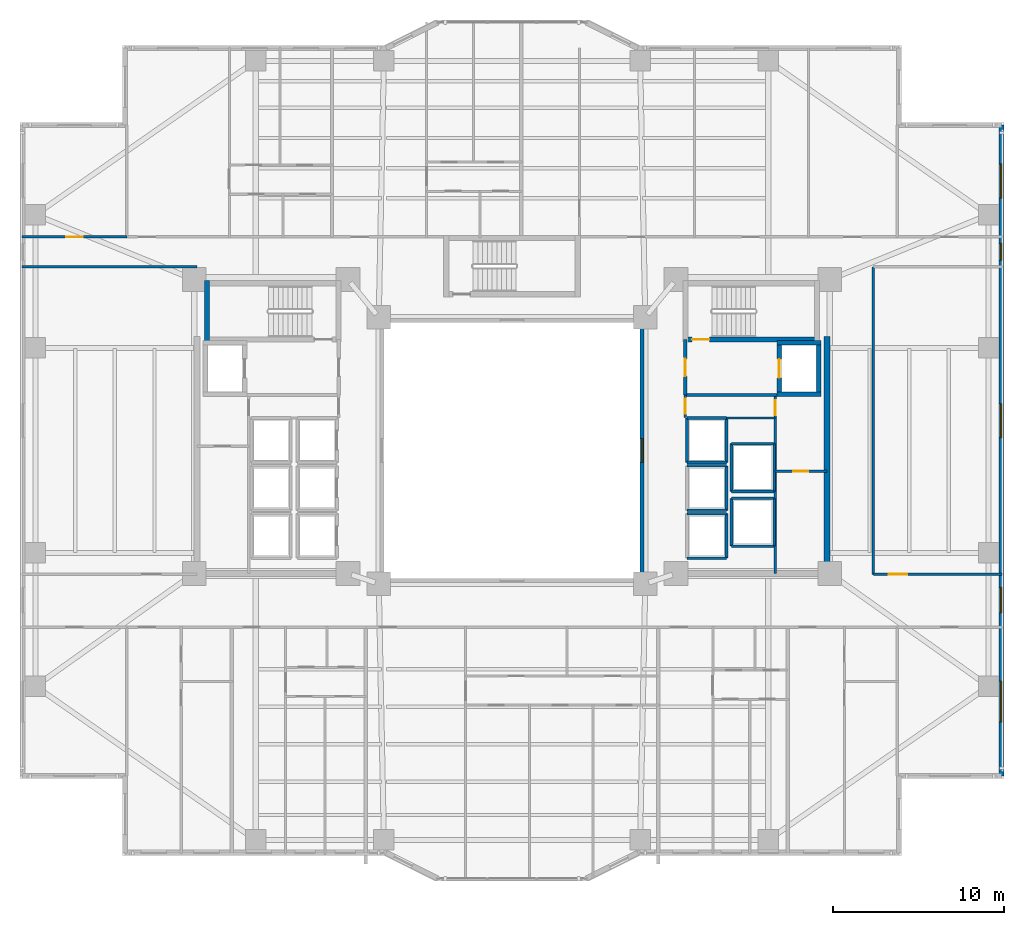
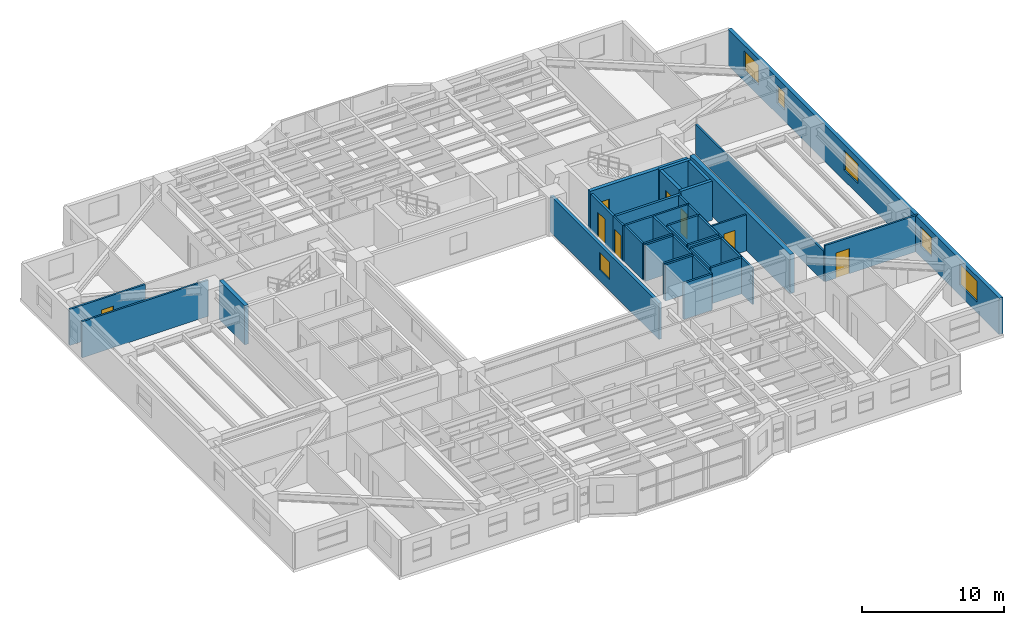
# One storey, part 13 of 21: 37 walls, 8 doors, 6 windows, 14 openings.
"""IFC4 building model written with IfcOpenShell, lengths in metres."""

from ifc_helpers import new_model, si_unit, direction, frame, frame_2d, origin, place, context, subcontext, project, spatial, rectangle, extrude, material, layer, layer_set, type_object, element, fill, save


model = new_model("IFC4")

# Units and contexts
model_context = context("Model", 3, precision=1e-05, world=origin(), true_north=direction((0.0, 1.0)))
body_context = subcontext(model_context, "Body", "Model", "MODEL_VIEW")
ifc_project = project(units=[si_unit("LENGTHUNIT", "METRE"), si_unit("AREAUNIT", "SQUARE_METRE"), si_unit("VOLUMEUNIT", "CUBIC_METRE"), si_unit("PLANEANGLEUNIT", "RADIAN"), si_unit("MASSUNIT", "GRAM", prefix="KILO")], contexts=[model_context])

# Site, building, storey
site_placement = place(None, origin())
site = spatial("IfcSite", under=ifc_project, at=site_placement, CompositionType="ELEMENT")
building_placement = place(site_placement, origin())
building = spatial("IfcBuilding", under=site, at=building_placement, Name="Tarnavaz Court Tower", CompositionType="ELEMENT")
storey_placement = place(building_placement, frame((0.0, 0.0, 37.39990234375)))
storey = spatial("IfcBuildingStorey", under=building, at=storey_placement, Name="L09", CompositionType="ELEMENT", Elevation=37.39990234375)

# Wall, opening, door
ifc_material_1 = material(Name="Concrete C60/75", Category="concrete")
ifc_layer_1 = layer(ifc_material_1, 0.25)
ifc_layer_set_1 = layer_set([ifc_layer_1], Name="Concrete C60/75")
wall_type_1 = type_object("IfcWallType", Name="WL-CORE-250-C60", PredefinedType="SHEAR", material=ifc_layer_set_1)
wall_1_placement = place(storey_placement, frame((15.64990234375, 3.175048828125, 0.0), z_axis=(0.0, 0.0, 1.0), x_axis=(0.0, 1.0, 0.0)))
wall_1 = element("IfcWall", 1, at=wall_1_placement, inside=storey, type_object=wall_type_1, Name="L09 Lift FL-E1 Shaft Wall 045", PredefinedType="SHEAR", context=body_context, shape_type="SweptSolid", body=[
    extrude(rectangle(XDim=3.25, YDim=0.25, at=frame_2d((1.625, 0.0))), origin(), (0.0, 0.0, 1.0), 3.35009765625),
])
opening_1_placement = place(wall_1_placement, frame((1.074951171875, 0.0, 0.0)))
opening_1 = element("IfcOpeningElement", 2, at=opening_1_placement, cuts=wall_1, Name="Opening LD1", PredefinedType="OPENING", context=body_context, shape_type="SweptSolid", body=[
    extrude(rectangle(XDim=1.10009765625, YDim=2.14990234375, at=frame_2d((0.550048828125, 1.074951171875))), frame((0.0, 0.135009765625, 0.0), z_axis=(0.0, -1.0, 0.0), x_axis=(1.0, 0.0, 0.0)), (0.0, 0.0, 1.0), 0.27001953125),
])
ifc_material_2 = material(Name="Stainless Steel", Category="steel")
door_type_1 = type_object("IfcDoorType", Name="DR-LD-1100", OperationType="NOTDEFINED", PredefinedType="DOOR", material=ifc_material_2)
door_1_placement = place(opening_1_placement, origin())
door_1 = element("IfcDoor", 3, at=door_1_placement, inside=storey, type_object=door_type_1, Name="L09 Lift Landing Door LD-FL-E1", OperationType="SLIDING_TO_LEFT", OverallHeight=2.14990234375, OverallWidth=1.10009765625, PredefinedType="DOOR", context=body_context, shape_type="SweptSolid", body=[
    extrude(rectangle(XDim=1.10009765625, YDim=2.14990234375, at=frame_2d((0.550048828125, 1.074951171875))), frame((0.0, 0.02490234375, 0.0), z_axis=(0.0, -1.0, 0.0), x_axis=(1.0, 0.0, 0.0)), (0.0, 0.0, 1.0), 0.050048828125),
])
fill(opening_1, door_1)

# Walls
wall_2_placement = place(storey_placement, frame((17.949951171875, 3.175048828125, 0.0), z_axis=(0.0, 0.0, 1.0), x_axis=(0.0, 1.0, 0.0)))
element("IfcWall", 4, at=wall_2_placement, inside=storey, type_object=wall_type_1, Name="L09 Lift FL-E1 Shaft Wall 046", PredefinedType="SHEAR", context=body_context, shape_type="SweptSolid", body=[
    extrude(rectangle(XDim=3.25, YDim=0.25, at=frame_2d((1.625, 0.0))), origin(), (0.0, 0.0, 1.0), 3.35009765625),
])
for number, where, z_axis, x_axis, name in (
    (5, (15.52490234375, 3.300048828125, 0.0), (0.0, 0.0, 1.0), (1.0, 0.0, 0.0), "L09 Lift FL-E1 Shaft Wall 047"),
    (6, (15.52490234375, 6.300048828125, 0.0), (0.0, 0.0, 1.0), (1.0, 0.0, 0.0), "L09 Lift FL-E1 Shaft Wall 048"),
):
    element("IfcWall", number, at=place(storey_placement, frame(where, z_axis=z_axis, x_axis=x_axis)), inside=storey, type_object=wall_type_1, Name=name, PredefinedType="SHEAR", context=body_context, shape_type="SweptSolid", body=[
        extrude(rectangle(XDim=2.550048828125, YDim=0.25, at=frame_2d((1.27490234375, 0.0))), origin(), (0.0, 0.0, 1.0), 3.35009765625),
    ])
ifc_layer_2 = layer(ifc_material_1, 0.300048828125)
ifc_layer_set_2 = layer_set([ifc_layer_2], Name="Concrete C60/75")
wall_type_2 = type_object("IfcWallType", Name="WL-CORE-300-C60", PredefinedType="SHEAR", material=ifc_layer_set_2)
wall_3_placement = place(storey_placement, frame((-17.85009765625, 6.35009765625, 0.0), z_axis=(0.0, 0.0, 1.0), x_axis=(0.0, 1.0, 0.0)))
element("IfcWall", 7, at=wall_3_placement, inside=storey, type_object=wall_type_2, Name="L09 West Stair Core Wall 003", PredefinedType="SHEAR", context=body_context, shape_type="SweptSolid", body=[
    extrude(rectangle(XDim=3.58984375, YDim=0.300048828125, at=frame_2d((1.794921875, 0.0))), origin(), (0.0, 0.0, 1.0), 3.35009765625),
])

# Wall, opening, door
wall_4_placement = place(storey_placement, frame((10.0, 6.5, 0.0), z_axis=(0.0, 0.0, 1.0), x_axis=(1.0, 0.0, 0.0)))
wall_4 = element("IfcWall", 8, at=wall_4_placement, inside=storey, type_object=wall_type_2, Name="L09 East Stair Core Wall 006", PredefinedType="SHEAR", context=body_context, shape_type="SweptSolid", body=[
    extrude(rectangle(XDim=8.0, YDim=0.300048828125, at=frame_2d((4.0, 0.0))), origin(), (0.0, 0.0, 1.0), 3.35009765625),
])
opening_2_placement = place(wall_4_placement, frame((0.550048828125, 0.0, 0.0)))
opening_2 = element("IfcOpeningElement", 9, at=opening_2_placement, cuts=wall_4, Name="Opening D01", PredefinedType="OPENING", context=body_context, shape_type="SweptSolid", body=[
    extrude(rectangle(XDim=1.0, YDim=2.14990234375, at=frame_2d((0.5, 1.074951171875))), frame((0.0, 0.159912109375, 0.0), z_axis=(0.0, -1.0, 0.0), x_axis=(1.0, 0.0, 0.0)), (0.0, 0.0, 1.0), 0.320068359375),
])
ifc_material_3 = material(Name="Fire-Rated Hardwood Timber Core", Category="wood")
door_type_2 = type_object("IfcDoorType", Name="DR-FD90-1000", OperationType="NOTDEFINED", PredefinedType="DOOR", material=ifc_material_3)
door_2_placement = place(opening_2_placement, origin())
door_2 = element("IfcDoor", 10, at=door_2_placement, inside=storey, type_object=door_type_2, Name="L09 Stair ST-E1 Exit Door", OperationType="SINGLE_SWING_RIGHT", OverallHeight=2.14990234375, OverallWidth=1.0, PredefinedType="DOOR", context=body_context, shape_type="SweptSolid", body=[
    extrude(rectangle(XDim=1.0, YDim=2.14990234375, at=frame_2d((0.5, 1.074951171875))), frame((0.0, 0.02490234375, 0.0), z_axis=(0.0, -1.0, 0.0), x_axis=(1.0, 0.0, 0.0)), (0.0, 0.0, 1.0), 0.050048828125),
])
fill(opening_2, door_2)

# Wall
ifc_layer_3 = layer(ifc_material_1, 0.35009765625)
ifc_layer_set_3 = layer_set([ifc_layer_3], Name="Concrete C60/75")
wall_type_3 = type_object("IfcWallType", Name="WL-CORE-350-C60", PredefinedType="SHEAR", material=ifc_layer_set_3)
wall_5_placement = place(storey_placement, frame((18.449951171875, -7.375, 0.0), z_axis=(0.0, 0.0, 1.0), x_axis=(0.0, 1.0, 0.0)))
element("IfcWall", 11, at=wall_5_placement, inside=storey, type_object=wall_type_3, Name="L09 East Core Shear Wall 071", PredefinedType="SHEAR", context=body_context, shape_type="SweptSolid", body=[
    extrude(rectangle(XDim=14.050048828125, YDim=0.35009765625, at=frame_2d((7.02490234375, 0.0))), origin(), (0.0, 0.0, 1.0), 3.35009765625),
])

# Wall, openings, windows
ifc_material_4 = material(Name="Precast Concrete C40/50", Category="concrete")
ifc_layer_4 = layer(ifc_material_4, 0.300048828125)
ifc_layer_set_4 = layer_set([ifc_layer_4], Name="Precast Concrete C40/50")
wall_type_4 = type_object("IfcWallType", Name="WL-EXT-300", PredefinedType="SOLIDWALL", material=ifc_layer_set_4)
wall_6_placement = place(storey_placement, frame((28.64990234375, 19.050048828125, 0.0), z_axis=(0.0, 0.0, 1.0), x_axis=(0.0, -1.0, 0.0)))
wall_6 = element("IfcWall", 12, at=wall_6_placement, inside=storey, type_object=wall_type_4, Name="L09 Exterior Terracotta Facade Wall 12", PredefinedType="SOLIDWALL", context=body_context, shape_type="SweptSolid", body=[
    extrude(rectangle(XDim=38.10009765625, YDim=0.300048828125, at=frame_2d((19.050048828125, 0.0))), origin(), (0.0, 0.0, 1.0), 3.10009765625),
])
opening_3_placement = place(wall_6_placement, frame((2.27490234375, 0.0, 0.89990234375)))
opening_3 = element("IfcOpeningElement", 13, at=opening_3_placement, cuts=wall_6, Name="Opening W08", PredefinedType="OPENING", context=body_context, shape_type="SweptSolid", body=[
    extrude(rectangle(XDim=2.0, YDim=1.699951171875, at=frame_2d((1.0, 0.85009765625))), frame((0.0, 0.159912109375, 0.0), z_axis=(0.0, -1.0, 0.0), x_axis=(1.0, 0.0, 0.0)), (0.0, 0.0, 1.0), 0.320068359375),
])
opening_4_placement = place(wall_6_placement, frame((6.925048828125, 0.0, 0.949951171875)))
opening_4 = element("IfcOpeningElement", 14, at=opening_4_placement, cuts=wall_6, Name="Opening W14", PredefinedType="OPENING", context=body_context, shape_type="SweptSolid", body=[
    extrude(rectangle(XDim=1.0, YDim=1.5, at=frame_2d((0.5, 0.75))), frame((0.0, 0.159912109375, 0.0), z_axis=(0.0, -1.0, 0.0), x_axis=(1.0, 0.0, 0.0)), (0.0, 0.0, 1.0), 0.320068359375),
])
opening_5_placement = place(wall_6_placement, frame((16.300048828125, 0.0, 0.89990234375)))
opening_5 = element("IfcOpeningElement", 15, at=opening_5_placement, cuts=wall_6, Name="Opening W08", PredefinedType="OPENING", context=body_context, shape_type="SweptSolid", body=[
    extrude(rectangle(XDim=2.0, YDim=1.699951171875, at=frame_2d((1.0, 0.85009765625))), frame((0.0, 0.159912109375, 0.0), z_axis=(0.0, -1.0, 0.0), x_axis=(1.0, 0.0, 0.0)), (0.0, 0.0, 1.0), 0.320068359375),
])
opening_6_placement = place(wall_6_placement, frame((27.0576171875, 0.0, 0.89990234375)))
opening_6 = element("IfcOpeningElement", 16, at=opening_6_placement, cuts=wall_6, Name="Opening W03", PredefinedType="OPENING", context=body_context, shape_type="SweptSolid", body=[
    extrude(rectangle(XDim=1.5, YDim=1.64990234375, at=frame_2d((0.75, 0.824951171875))), frame((0.0, 0.159912109375, 0.0), z_axis=(0.0, -1.0, 0.0), x_axis=(1.0, 0.0, 0.0)), (0.0, 0.0, 1.0), 0.320068359375),
])
opening_7_placement = place(wall_6_placement, frame((32.550048828125, 0.0, 0.89990234375)))
opening_7 = element("IfcOpeningElement", 17, at=opening_7_placement, cuts=wall_6, Name="Opening W06", PredefinedType="OPENING", context=body_context, shape_type="SweptSolid", body=[
    extrude(rectangle(XDim=2.39990234375, YDim=1.800048828125, at=frame_2d((1.199951171875, 0.89990234375))), frame((0.0, 0.159912109375, 0.0), z_axis=(0.0, -1.0, 0.0), x_axis=(1.0, 0.0, 0.0)), (0.0, 0.0, 1.0), 0.320068359375),
])
ifc_material_5 = material(Name="Double-Glazed Solar Low-E Glass", Category="glass")
window_type_1 = type_object("IfcWindowType", Name="WN-APT-1000", PartitioningType="SINGLE_PANEL", PredefinedType="WINDOW", material=ifc_material_5)
window_1_placement = place(opening_4_placement, origin())
window_1 = element("IfcWindow", 18, at=window_1_placement, inside=storey, type_object=window_type_1, Name="L09 North-East Corner Corridor Window", OverallHeight=1.5, OverallWidth=1.0, PartitioningType="SINGLE_PANEL", PredefinedType="WINDOW", context=body_context, shape_type="SweptSolid", body=[
    extrude(rectangle(XDim=1.0, YDim=1.5, at=frame_2d((0.5, 0.75))), frame((0.0, 0.030029296875, 0.0), z_axis=(0.0, -1.0, 0.0), x_axis=(1.0, 0.0, 0.0)), (0.0, 0.0, 1.0), 0.06005859375),
])
fill(opening_4, window_1)
window_type_2 = type_object("IfcWindowType", Name="WN-APT-1500", PartitioningType="DOUBLE_PANEL_VERTICAL", PredefinedType="WINDOW", material=ifc_material_5)
window_2_placement = place(opening_6_placement, origin())
window_2 = element("IfcWindow", 19, at=window_2_placement, inside=storey, type_object=window_type_2, Name="L09 South-East Corner Corridor Window", OverallHeight=1.64990234375, OverallWidth=1.5, PartitioningType="SINGLE_PANEL", PredefinedType="WINDOW", context=body_context, shape_type="SweptSolid", body=[
    extrude(rectangle(XDim=1.5, YDim=1.64990234375, at=frame_2d((0.75, 0.824951171875))), frame((0.0, 0.030029296875, 0.0), z_axis=(0.0, -1.0, 0.0), x_axis=(1.0, 0.0, 0.0)), (0.0, 0.0, 1.0), 0.06005859375),
])
fill(opening_6, window_2)
window_type_3 = type_object("IfcWindowType", Name="WN-APT-2000", PartitioningType="DOUBLE_PANEL_VERTICAL", PredefinedType="WINDOW", material=ifc_material_5)
window_3_placement = place(opening_3_placement, origin())
window_3 = element("IfcWindow", 20, at=window_3_placement, inside=storey, type_object=window_type_3, Name="L09 North-East Corner Sunroom Study Window", OverallHeight=1.699951171875, OverallWidth=2.0, PartitioningType="SINGLE_PANEL", PredefinedType="WINDOW", context=body_context, shape_type="SweptSolid", body=[
    extrude(rectangle(XDim=2.0, YDim=1.699951171875, at=frame_2d((1.0, 0.85009765625))), frame((0.0, 0.030029296875, 0.0), z_axis=(0.0, -1.0, 0.0), x_axis=(1.0, 0.0, 0.0)), (0.0, 0.0, 1.0), 0.06005859375),
])
fill(opening_3, window_3)
window_4_placement = place(opening_5_placement, origin())
window_4 = element("IfcWindow", 21, at=window_4_placement, inside=storey, type_object=window_type_3, Name="L09 East Wing Daycare Playroom Window", OverallHeight=1.699951171875, OverallWidth=2.0, PartitioningType="SINGLE_PANEL", PredefinedType="WINDOW", context=body_context, shape_type="SweptSolid", body=[
    extrude(rectangle(XDim=2.0, YDim=1.699951171875, at=frame_2d((1.0, 0.85009765625))), frame((0.0, 0.030029296875, 0.0), z_axis=(0.0, -1.0, 0.0), x_axis=(1.0, 0.0, 0.0)), (0.0, 0.0, 1.0), 0.06005859375),
])
fill(opening_5, window_4)
window_type_4 = type_object("IfcWindowType", Name="WN-APT-2400", PartitioningType="TRIPLE_PANEL_VERTICAL", PredefinedType="WINDOW", material=ifc_material_5)
window_5_placement = place(opening_7_placement, origin())
window_5 = element("IfcWindow", 22, at=window_5_placement, inside=storey, type_object=window_type_4, Name="L09 South-East Corner Reading Room Window", OverallHeight=1.800048828125, OverallWidth=2.39990234375, PartitioningType="SINGLE_PANEL", PredefinedType="WINDOW", context=body_context, shape_type="SweptSolid", body=[
    extrude(rectangle(XDim=2.39990234375, YDim=1.800048828125, at=frame_2d((1.199951171875, 0.89990234375))), frame((0.0, 0.030029296875, 0.0), z_axis=(0.0, -1.0, 0.0), x_axis=(1.0, 0.0, 0.0)), (0.0, 0.0, 1.0), 0.06005859375),
])
fill(opening_7, window_5)

# Walls
ifc_material_6 = material(Name="Gypsum Fire-Board on Acoustic Metal Stud", Category="masonry")
ifc_layer_5 = layer(ifc_material_6, 0.14990234375)
ifc_layer_set_5 = layer_set([ifc_layer_5], Name="Gypsum Fire-Board on Acoustic Metal Stud")
wall_type_5 = type_object("IfcWallType", Name="WL-FIRE-150", PredefinedType="PARTITIONING", material=ifc_layer_set_5)
wall_7_placement = place(storey_placement, frame((21.14990234375, -7.25, 0.0), z_axis=(0.0, 0.0, 1.0), x_axis=(0.0, 1.0, 0.0)))
element("IfcWall", 23, at=wall_7_placement, inside=storey, type_object=wall_type_5, Name="L09 East Outer Link Wall 083", PredefinedType="PARTITIONING", context=body_context, shape_type="SweptSolid", body=[
    extrude(rectangle(XDim=18.0, YDim=0.14990234375, at=frame_2d((9.0, 0.0))), origin(), (0.0, 0.0, 1.0), 2.585205078125),
])
wall_8_placement = place(storey_placement, frame((-28.679931640625, 10.75, 0.0), z_axis=(0.0, 0.0, 1.0), x_axis=(1.0, 0.0, 0.0)))
element("IfcWall", 24, at=wall_8_placement, inside=storey, type_object=wall_type_5, Name="L09 Interior Partition 134", PredefinedType="PARTITIONING", context=body_context, shape_type="SweptSolid", body=[
    extrude(rectangle(XDim=10.22998046875, YDim=0.14990234375, at=frame_2d((5.114990234375, 0.0))), origin(), (0.0, 0.0, 1.0), 3.10009765625),
])

# Wall, opening, door
wall_9_placement = place(storey_placement, frame((21.14990234375, -7.25, 0.0), z_axis=(0.0, 0.0, 1.0), x_axis=(1.0, 0.0, 0.0)))
wall_9 = element("IfcWall", 25, at=wall_9_placement, inside=storey, type_object=wall_type_5, Name="L09 Interior Partition 135", PredefinedType="PARTITIONING", context=body_context, shape_type="SweptSolid", body=[
    extrude(rectangle(XDim=7.530029296875, YDim=0.14990234375, at=frame_2d((3.76513671875, 0.0))), origin(), (0.0, 0.0, 1.0), 3.10009765625),
])
opening_8_placement = place(wall_9_placement, frame((0.89990234375, 0.0, 0.0)))
opening_8 = element("IfcOpeningElement", 26, at=opening_8_placement, cuts=wall_9, Name="Opening D12", PredefinedType="OPENING", context=body_context, shape_type="SweptSolid", body=[
    extrude(rectangle(XDim=1.080078125, YDim=2.14990234375, at=frame_2d((0.5400390625, 1.074951171875))), frame((0.0, 0.0849609375, 0.0), z_axis=(0.0, -1.0, 0.0), x_axis=(1.0, 0.0, 0.0)), (0.0, 0.0, 1.0), 0.169921875),
])
ifc_material_7 = material(Name="Engineered Oak Timber", Category="wood")
door_type_3 = type_object("IfcDoorType", Name="DR-INT-1100", OperationType="NOTDEFINED", PredefinedType="DOOR", material=ifc_material_7)
door_3_placement = place(opening_8_placement, origin())
door_3 = element("IfcDoor", 27, at=door_3_placement, inside=storey, type_object=door_type_3, Name="L09 East Daycare Playroom Door", OperationType="SINGLE_SWING_LEFT", OverallHeight=2.14990234375, OverallWidth=1.080078125, PredefinedType="DOOR", context=body_context, shape_type="SweptSolid", body=[
    extrude(rectangle(XDim=1.080078125, YDim=2.14990234375, at=frame_2d((0.5400390625, 1.074951171875))), frame((0.0, 0.02490234375, 0.0), z_axis=(0.0, -1.0, 0.0), x_axis=(1.0, 0.0, 0.0)), (0.0, 0.0, 1.0), 0.050048828125),
])
fill(opening_8, door_3)

wall_10_placement = place(storey_placement, frame((-28.679931640625, 12.5, 0.0), z_axis=(0.0, 0.0, 1.0), x_axis=(1.0, 0.0, 0.0)))
wall_10 = element("IfcWall", 28, at=wall_10_placement, inside=storey, type_object=wall_type_5, Name="L09 Interior Partition 141", PredefinedType="PARTITIONING", context=body_context, shape_type="SweptSolid", body=[
    extrude(rectangle(XDim=6.1298828125, YDim=0.14990234375, at=frame_2d((3.06494140625, 0.0))), origin(), (0.0, 0.0, 1.0), 3.10009765625),
])
opening_9_placement = place(wall_10_placement, frame((2.590087890625, 0.0, 0.0)))
opening_9 = element("IfcOpeningElement", 29, at=opening_9_placement, cuts=wall_10, Name="Opening D13", PredefinedType="OPENING", context=body_context, shape_type="SweptSolid", body=[
    extrude(rectangle(XDim=0.949951171875, YDim=2.14990234375, at=frame_2d((0.47509765625, 1.074951171875))), frame((0.0, 0.0849609375, 0.0), z_axis=(0.0, -1.0, 0.0), x_axis=(1.0, 0.0, 0.0)), (0.0, 0.0, 1.0), 0.169921875),
])
door_type_4 = type_object("IfcDoorType", Name="DR-INT-950", OperationType="NOTDEFINED", PredefinedType="DOOR", material=ifc_material_7)
door_4_placement = place(opening_9_placement, origin())
door_4 = element("IfcDoor", 30, at=door_4_placement, inside=storey, type_object=door_type_4, Name="L09 NW Sunroom Door", OperationType="SINGLE_SWING_RIGHT", OverallHeight=2.14990234375, OverallWidth=0.949951171875, PredefinedType="DOOR", context=body_context, shape_type="SweptSolid", body=[
    extrude(rectangle(XDim=0.949951171875, YDim=2.14990234375, at=frame_2d((0.47509765625, 1.074951171875))), frame((0.0, 0.02490234375, 0.0), z_axis=(0.0, -1.0, 0.0), x_axis=(1.0, 0.0, 0.0)), (0.0, 0.0, 1.0), 0.050048828125),
])
fill(opening_9, door_4)

# Wall
ifc_material_8 = material(Name="Autoclaved Aerated Concrete Blockwork", Category="masonry")
ifc_layer_6 = layer(ifc_material_8, 0.199951171875)
ifc_layer_set_6 = layer_set([ifc_layer_6], Name="Autoclaved Aerated Concrete Blockwork")
wall_type_6 = type_object("IfcWallType", Name="WL-FIRE-200", PredefinedType="SOLIDWALL", material=ifc_layer_set_6)
wall_11_placement = place(storey_placement, frame((10.14990234375, 3.25, 0.0), z_axis=(0.0, 0.0, 1.0), x_axis=(1.0, 0.0, 0.0)))
element("IfcWall", 31, at=wall_11_placement, inside=storey, type_object=wall_type_6, Name="L09 East Firefighting Lobby Wall 015", PredefinedType="SOLIDWALL", context=body_context, shape_type="SweptSolid", body=[
    extrude(rectangle(XDim=5.400146484375, YDim=0.199951171875, at=frame_2d((2.7001953125, 0.0))), origin(), (0.0, 0.0, 1.0), 3.10009765625),
])

# Wall, opening, door
wall_12_placement = place(storey_placement, frame((10.14990234375, 3.25, 0.0), z_axis=(0.0, 0.0, 1.0), x_axis=(0.0, 1.0, 0.0)))
wall_12 = element("IfcWall", 32, at=wall_12_placement, inside=storey, type_object=wall_type_6, Name="L09 East Firefighting Lobby Wall 016", PredefinedType="SOLIDWALL", context=body_context, shape_type="SweptSolid", body=[
    extrude(rectangle(XDim=3.25, YDim=0.199951171875, at=frame_2d((1.625, 0.0))), origin(), (0.0, 0.0, 1.0), 3.10009765625),
])
opening_10_placement = place(wall_12_placement, frame((1.10009765625, 0.0, 0.0)))
opening_10 = element("IfcOpeningElement", 33, at=opening_10_placement, cuts=wall_12, Name="Opening D05", PredefinedType="OPENING", context=body_context, shape_type="SweptSolid", body=[
    extrude(rectangle(XDim=1.02001953125, YDim=2.14990234375, at=frame_2d((0.510009765625, 1.074951171875))), frame((0.0, 0.10986328125, 0.0), z_axis=(0.0, -1.0, 0.0), x_axis=(1.0, 0.0, 0.0)), (0.0, 0.0, 1.0), 0.219970703125),
])
door_type_5 = type_object("IfcDoorType", Name="DR-FD60-1000", OperationType="NOTDEFINED", PredefinedType="DOOR", material=ifc_material_3)
door_5_placement = place(opening_10_placement, origin())
door_5 = element("IfcDoor", 34, at=door_5_placement, inside=storey, type_object=door_type_5, Name="L09 East Firefighting Lobby Door", OperationType="SINGLE_SWING_LEFT", OverallHeight=2.14990234375, OverallWidth=1.02001953125, PredefinedType="DOOR", context=body_context, shape_type="SweptSolid", body=[
    extrude(rectangle(XDim=1.02001953125, YDim=2.14990234375, at=frame_2d((0.510009765625, 1.074951171875))), frame((0.0, 0.02490234375, 0.0), z_axis=(0.0, -1.0, 0.0), x_axis=(1.0, 0.0, 0.0)), (0.0, 0.0, 1.0), 0.050048828125),
])
fill(opening_10, door_5)

# Wall
ifc_material_9 = material(Name="Gypsum Plasterboard Acoustic Partition", Category="masonry")
ifc_layer_7 = layer(ifc_material_9, 0.139892578125)
ifc_layer_set_7 = layer_set([ifc_layer_7], Name="Gypsum Plasterboard Acoustic Partition")
wall_type_7 = type_object("IfcWallType", Name="WL-PART-150", PredefinedType="PARTITIONING", material=ifc_layer_set_7)
wall_13_placement = place(storey_placement, frame((12.550048828125, 1.89990234375, 0.0), z_axis=(0.0, 0.0, 1.0), x_axis=(1.0, 0.0, 0.0)))
element("IfcWall", 35, at=wall_13_placement, inside=storey, type_object=wall_type_7, Name="L09 Interior Partition 077", PredefinedType="PARTITIONING", context=body_context, shape_type="SweptSolid", body=[
    extrude(rectangle(XDim=2.849853515625, YDim=0.139892578125, at=frame_2d((1.4248046875, 0.0))), origin(), (0.0, 0.0, 1.0), 3.10009765625),
])

# Wall, opening, door
wall_14_placement = place(storey_placement, frame((10.14990234375, 1.919921875, 0.0), z_axis=(0.0, 0.0, 1.0), x_axis=(0.0, 1.0, 0.0)))
wall_14 = element("IfcWall", 36, at=wall_14_placement, inside=storey, type_object=wall_type_7, Name="L09 Interior Partition 078", PredefinedType="PARTITIONING", context=body_context, shape_type="SweptSolid", body=[
    extrude(rectangle(XDim=1.330078125, YDim=0.139892578125, at=frame_2d((0.6650390625, 0.0))), origin(), (0.0, 0.0, 1.0), 3.10009765625),
])
opening_11_placement = place(wall_14_placement, frame((0.219970703125, 0.0, 0.0)))
opening_11 = element("IfcOpeningElement", 37, at=opening_11_placement, cuts=wall_14, Name="Opening D09", PredefinedType="OPENING", context=body_context, shape_type="SweptSolid", body=[
    extrude(rectangle(XDim=0.89990234375, YDim=2.080078125, at=frame_2d((0.449951171875, 1.0400390625))), frame((0.0, 0.079833984375, 0.0), z_axis=(0.0, -1.0, 0.0), x_axis=(1.0, 0.0, 0.0)), (0.0, 0.0, 1.0), 0.159912109375),
])
door_type_6 = type_object("IfcDoorType", Name="DR-FD30-900", OperationType="NOTDEFINED", PredefinedType="DOOR", material=ifc_material_3)
door_6_placement = place(opening_11_placement, origin())
door_6 = element("IfcDoor", 38, at=door_6_placement, inside=storey, type_object=door_type_6, Name="L09 East Core Service Lobby Door", OperationType="SINGLE_SWING_RIGHT", OverallHeight=2.080078125, OverallWidth=0.89990234375, PredefinedType="DOOR", context=body_context, shape_type="SweptSolid", body=[
    extrude(rectangle(XDim=0.89990234375, YDim=2.080078125, at=frame_2d((0.449951171875, 1.0400390625))), frame((0.0, 0.02490234375, 0.0), z_axis=(0.0, -1.0, 0.0), x_axis=(1.0, 0.0, 0.0)), (0.0, 0.0, 1.0), 0.050048828125),
])
fill(opening_11, door_6)

wall_15_placement = place(storey_placement, frame((15.39990234375, -7.199951171875, 0.0), z_axis=(0.0, 0.0, 1.0), x_axis=(0.0, 1.0, 0.0)))
wall_15 = element("IfcWall", 39, at=wall_15_placement, inside=storey, type_object=wall_type_7, Name="L09 Interior Partition 079", PredefinedType="PARTITIONING", context=body_context, shape_type="SweptSolid", body=[
    extrude(rectangle(XDim=10.449951171875, YDim=0.139892578125, at=frame_2d((5.22509765625, 0.0))), origin(), (0.0, 0.0, 1.0), 3.10009765625),
])
opening_12_placement = place(wall_15_placement, frame((9.25, 0.0, 0.0)))
opening_12 = element("IfcOpeningElement", 40, at=opening_12_placement, cuts=wall_15, Name="Opening D09", PredefinedType="OPENING", context=body_context, shape_type="SweptSolid", body=[
    extrude(rectangle(XDim=0.89990234375, YDim=2.080078125, at=frame_2d((0.449951171875, 1.0400390625))), frame((0.0, 0.079833984375, 0.0), z_axis=(0.0, -1.0, 0.0), x_axis=(1.0, 0.0, 0.0)), (0.0, 0.0, 1.0), 0.159912109375),
])
door_7_placement = place(opening_12_placement, origin())
door_7 = element("IfcDoor", 41, at=door_7_placement, inside=storey, type_object=door_type_6, Name="L09 East Wet Riser Door", OperationType="SINGLE_SWING_LEFT", OverallHeight=2.080078125, OverallWidth=0.89990234375, PredefinedType="DOOR", context=body_context, shape_type="SweptSolid", body=[
    extrude(rectangle(XDim=0.89990234375, YDim=2.080078125, at=frame_2d((0.449951171875, 1.0400390625))), frame((0.0, 0.02490234375, 0.0), z_axis=(0.0, -1.0, 0.0), x_axis=(1.0, 0.0, 0.0)), (0.0, 0.0, 1.0), 0.050048828125),
])
fill(opening_12, door_7)

wall_16_placement = place(storey_placement, frame((15.39990234375, -1.219970703125, 0.0), z_axis=(0.0, 0.0, 1.0), x_axis=(1.0, 0.0, 0.0)))
wall_16 = element("IfcWall", 42, at=wall_16_placement, inside=storey, type_object=wall_type_7, Name="L09 Interior Partition 080", PredefinedType="PARTITIONING", context=body_context, shape_type="SweptSolid", body=[
    extrude(rectangle(XDim=3.050048828125, YDim=0.139892578125, at=frame_2d((1.52490234375, 0.0))), origin(), (0.0, 0.0, 1.0), 3.10009765625),
])
opening_13_placement = place(wall_16_placement, frame((1.050048828125, 0.0, 0.0)))
opening_13 = element("IfcOpeningElement", 43, at=opening_13_placement, cuts=wall_16, Name="Opening D09", PredefinedType="OPENING", context=body_context, shape_type="SweptSolid", body=[
    extrude(rectangle(XDim=0.89990234375, YDim=2.080078125, at=frame_2d((0.449951171875, 1.0400390625))), frame((0.0, 0.079833984375, 0.0), z_axis=(0.0, -1.0, 0.0), x_axis=(1.0, 0.0, 0.0)), (0.0, 0.0, 1.0), 0.159912109375),
])
door_8_placement = place(opening_13_placement, origin())
door_8 = element("IfcDoor", 44, at=door_8_placement, inside=storey, type_object=door_type_6, Name="L09 East Electrical Plant Door", OperationType="SINGLE_SWING_RIGHT", OverallHeight=2.080078125, OverallWidth=0.89990234375, PredefinedType="DOOR", context=body_context, shape_type="SweptSolid", body=[
    extrude(rectangle(XDim=0.89990234375, YDim=2.080078125, at=frame_2d((0.449951171875, 1.0400390625))), frame((0.0, 0.02490234375, 0.0), z_axis=(0.0, -1.0, 0.0), x_axis=(1.0, 0.0, 0.0)), (0.0, 0.0, 1.0), 0.050048828125),
])
fill(opening_13, door_8)

# Walls
ifc_layer_8 = layer(ifc_material_8, 0.159912109375)
ifc_layer_set_8 = layer_set([ifc_layer_8], Name="Autoclaved Aerated Concrete Blockwork")
wall_type_8 = type_object("IfcWallType", Name="WL-SHAFT-150", PredefinedType="SOLIDWALL", material=ifc_layer_set_8)
wall_17_placement = place(storey_placement, frame((12.550048828125, -6.300048828125, 0.0), z_axis=(0.0, 0.0, 1.0), x_axis=(0.0, 1.0, 0.0)))
element("IfcWall", 45, at=wall_17_placement, inside=storey, type_object=wall_type_8, Name="L09 Lift PL-M1 Shaft Wall 050", PredefinedType="SOLIDWALL", context=body_context, shape_type="SweptSolid", body=[
    extrude(rectangle(XDim=2.60009765625, YDim=0.159912109375, at=frame_2d((1.300048828125, 0.0))), origin(), (0.0, 0.0, 1.0), 3.10009765625),
])
for number, where, z_axis, x_axis, name in (
    (46, (10.25, -6.300048828125, 0.0), (0.0, 0.0, 1.0), (1.0, 0.0, 0.0), "L09 Lift PL-M1 Shaft Wall 051"),
    (47, (10.25, -3.699951171875, 0.0), (0.0, 0.0, 1.0), (1.0, 0.0, 0.0), "L09 Lift PL-M1 Shaft Wall 052"),
):
    element("IfcWall", number, at=place(storey_placement, frame(where, z_axis=z_axis, x_axis=x_axis)), inside=storey, type_object=wall_type_8, Name=name, PredefinedType="SOLIDWALL", context=body_context, shape_type="SweptSolid", body=[
        extrude(rectangle(XDim=2.300048828125, YDim=0.159912109375, at=frame_2d((1.14990234375, 0.0))), origin(), (0.0, 0.0, 1.0), 3.10009765625),
    ])
wall_18_placement = place(storey_placement, frame((12.550048828125, -3.5, 0.0), z_axis=(0.0, 0.0, 1.0), x_axis=(0.0, 1.0, 0.0)))
element("IfcWall", 48, at=wall_18_placement, inside=storey, type_object=wall_type_8, Name="L09 Lift PL-M2 Shaft Wall 054", PredefinedType="SOLIDWALL", context=body_context, shape_type="SweptSolid", body=[
    extrude(rectangle(XDim=2.60009765625, YDim=0.159912109375, at=frame_2d((1.300048828125, 0.0))), origin(), (0.0, 0.0, 1.0), 3.10009765625),
])
for number, where, z_axis, x_axis, name in (
    (49, (10.25, -3.5, 0.0), (0.0, 0.0, 1.0), (1.0, 0.0, 0.0), "L09 Lift PL-M2 Shaft Wall 055"),
    (50, (10.25, -0.89990234375, 0.0), (0.0, 0.0, 1.0), (1.0, 0.0, 0.0), "L09 Lift PL-M2 Shaft Wall 056"),
):
    element("IfcWall", number, at=place(storey_placement, frame(where, z_axis=z_axis, x_axis=x_axis)), inside=storey, type_object=wall_type_8, Name=name, PredefinedType="SOLIDWALL", context=body_context, shape_type="SweptSolid", body=[
        extrude(rectangle(XDim=2.300048828125, YDim=0.159912109375, at=frame_2d((1.14990234375, 0.0))), origin(), (0.0, 0.0, 1.0), 3.10009765625),
    ])
for number, where, z_axis, x_axis, name in (
    (51, (10.25, -0.699951171875, 0.0), (0.0, 0.0, 1.0), (0.0, 1.0, 0.0), "L09 Lift PL-M3 Shaft Wall 057"),
    (52, (12.550048828125, -0.699951171875, 0.0), (0.0, 0.0, 1.0), (0.0, 1.0, 0.0), "L09 Lift PL-M3 Shaft Wall 058"),
):
    element("IfcWall", number, at=place(storey_placement, frame(where, z_axis=z_axis, x_axis=x_axis)), inside=storey, type_object=wall_type_8, Name=name, PredefinedType="SOLIDWALL", context=body_context, shape_type="SweptSolid", body=[
        extrude(rectangle(XDim=2.599853515625, YDim=0.159912109375, at=frame_2d((1.2998046875, 0.0))), origin(), (0.0, 0.0, 1.0), 3.10009765625),
    ])
for number, where, z_axis, x_axis, name in (
    (53, (10.25, -0.699951171875, 0.0), (0.0, 0.0, 1.0), (1.0, 0.0, 0.0), "L09 Lift PL-M3 Shaft Wall 059"),
    (54, (10.25, 1.89990234375, 0.0), (0.0, 0.0, 1.0), (1.0, 0.0, 0.0), "L09 Lift PL-M3 Shaft Wall 060"),
):
    element("IfcWall", number, at=place(storey_placement, frame(where, z_axis=z_axis, x_axis=x_axis)), inside=storey, type_object=wall_type_8, Name=name, PredefinedType="SOLIDWALL", context=body_context, shape_type="SweptSolid", body=[
        extrude(rectangle(XDim=2.300048828125, YDim=0.159912109375, at=frame_2d((1.14990234375, 0.0))), origin(), (0.0, 0.0, 1.0), 3.10009765625),
    ])
for number, where, z_axis, x_axis, name in (
    (55, (12.85009765625, -5.60009765625, 0.0), (0.0, 0.0, 1.0), (0.0, 1.0, 0.0), "L09 Lift PL-OB1 Shaft Wall 061"),
    (56, (15.35009765625, -5.60009765625, 0.0), (0.0, 0.0, 1.0), (0.0, 1.0, 0.0), "L09 Lift PL-OB1 Shaft Wall 062"),
):
    element("IfcWall", number, at=place(storey_placement, frame(where, z_axis=z_axis, x_axis=x_axis)), inside=storey, type_object=wall_type_8, Name=name, PredefinedType="SOLIDWALL", context=body_context, shape_type="SweptSolid", body=[
        extrude(rectangle(XDim=2.800048828125, YDim=0.159912109375, at=frame_2d((1.39990234375, 0.0))), origin(), (0.0, 0.0, 1.0), 3.10009765625),
    ])
for number, where, z_axis, x_axis, name in (
    (57, (12.85009765625, -5.60009765625, 0.0), (0.0, 0.0, 1.0), (1.0, 0.0, 0.0), "L09 Lift PL-OB1 Shaft Wall 063"),
    (58, (12.85009765625, -2.800048828125, 0.0), (0.0, 0.0, 1.0), (1.0, 0.0, 0.0), "L09 Lift PL-OB1 Shaft Wall 064"),
):
    element("IfcWall", number, at=place(storey_placement, frame(where, z_axis=z_axis, x_axis=x_axis)), inside=storey, type_object=wall_type_8, Name=name, PredefinedType="SOLIDWALL", context=body_context, shape_type="SweptSolid", body=[
        extrude(rectangle(XDim=2.5, YDim=0.159912109375, at=frame_2d((1.25, 0.0))), origin(), (0.0, 0.0, 1.0), 3.10009765625),
    ])
for number, where, z_axis, x_axis, name in (
    (59, (12.85009765625, -2.39990234375, 0.0), (0.0, 0.0, 1.0), (0.0, 1.0, 0.0), "L09 Lift PL-OB2 Shaft Wall 065"),
    (60, (15.35009765625, -2.39990234375, 0.0), (0.0, 0.0, 1.0), (0.0, 1.0, 0.0), "L09 Lift PL-OB2 Shaft Wall 066"),
):
    element("IfcWall", number, at=place(storey_placement, frame(where, z_axis=z_axis, x_axis=x_axis)), inside=storey, type_object=wall_type_8, Name=name, PredefinedType="SOLIDWALL", context=body_context, shape_type="SweptSolid", body=[
        extrude(rectangle(XDim=2.7998046875, YDim=0.159912109375, at=frame_2d((1.39990234375, 0.0))), origin(), (0.0, 0.0, 1.0), 3.10009765625),
    ])
for number, where, z_axis, x_axis, name in (
    (61, (12.85009765625, -2.39990234375, 0.0), (0.0, 0.0, 1.0), (1.0, 0.0, 0.0), "L09 Lift PL-OB2 Shaft Wall 067"),
    (62, (12.85009765625, 0.39990234375, 0.0), (0.0, 0.0, 1.0), (1.0, 0.0, 0.0), "L09 Lift PL-OB2 Shaft Wall 068"),
):
    element("IfcWall", number, at=place(storey_placement, frame(where, z_axis=z_axis, x_axis=x_axis)), inside=storey, type_object=wall_type_8, Name=name, PredefinedType="SOLIDWALL", context=body_context, shape_type="SweptSolid", body=[
        extrude(rectangle(XDim=2.5, YDim=0.159912109375, at=frame_2d((1.25, 0.0))), origin(), (0.0, 0.0, 1.0), 3.10009765625),
    ])

# Wall, opening, window
ifc_layer_9 = layer(ifc_material_4, 0.239990234375)
ifc_layer_set_9 = layer_set([ifc_layer_9], Name="Precast Concrete C40/50")
wall_type_9 = type_object("IfcWallType", Name="WL-WELL-240", PredefinedType="SOLIDWALL", material=ifc_layer_set_9)
wall_19_placement = place(storey_placement, frame((7.6201171875, -7.6201171875, 0.0), z_axis=(0.0, 0.0, 1.0), x_axis=(0.0, 1.0, 0.0)))
wall_19 = element("IfcWall", 63, at=wall_19_placement, inside=storey, type_object=wall_type_9, Name="L09 Badgir Light-Well Exterior Wall E", PredefinedType="SOLIDWALL", context=body_context, shape_type="SweptSolid", body=[
    extrude(rectangle(XDim=15.240234375, YDim=0.239990234375, at=frame_2d((7.6201171875, 0.0))), origin(), (0.0, 0.0, 1.0), 3.10009765625),
])
opening_14_placement = place(wall_19_placement, frame((6.919921875, 0.0, 0.949951171875)))
opening_14 = element("IfcOpeningElement", 64, at=opening_14_placement, cuts=wall_19, Name="Opening W13", PredefinedType="OPENING", context=body_context, shape_type="SweptSolid", body=[
    extrude(rectangle(XDim=1.39990234375, YDim=1.5, at=frame_2d((0.699951171875, 0.75))), frame((0.0, 0.1298828125, 0.0), z_axis=(0.0, -1.0, 0.0), x_axis=(1.0, 0.0, 0.0)), (0.0, 0.0, 1.0), 0.260009765625),
])
window_type_5 = type_object("IfcWindowType", Name="WN-WEL-1400", PartitioningType="SINGLE_PANEL", PredefinedType="WINDOW", material=ifc_material_5)
window_6_placement = place(opening_14_placement, origin())
window_6 = element("IfcWindow", 65, at=window_6_placement, inside=storey, type_object=window_type_5, Name="L09 Courtyard Gallery Window E", OverallHeight=1.5, OverallWidth=1.39990234375, PartitioningType="SINGLE_PANEL", PredefinedType="WINDOW", context=body_context, shape_type="SweptSolid", body=[
    extrude(rectangle(XDim=1.39990234375, YDim=1.5, at=frame_2d((0.699951171875, 0.75))), frame((0.0, 0.030029296875, 0.0), z_axis=(0.0, -1.0, 0.0), x_axis=(1.0, 0.0, 0.0)), (0.0, 0.0, 1.0), 0.06005859375),
])
fill(opening_14, window_6)

save(model, "model.ifc")
